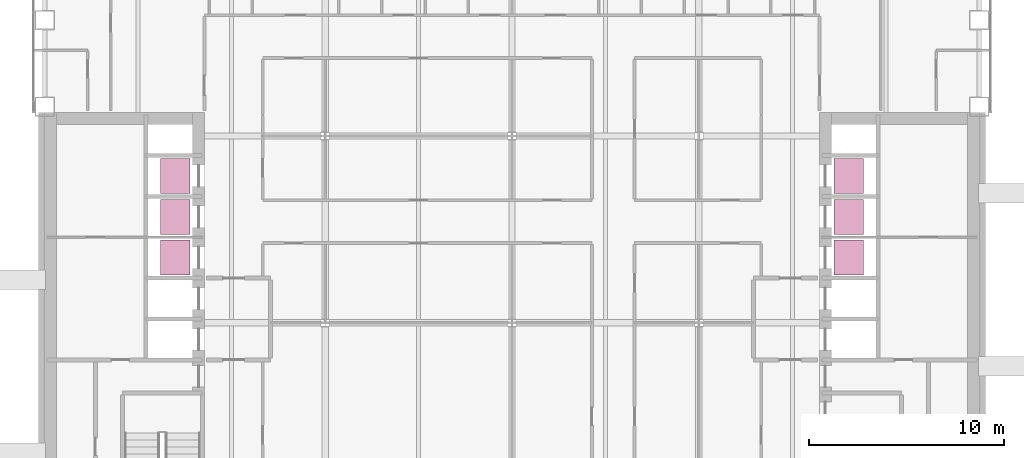
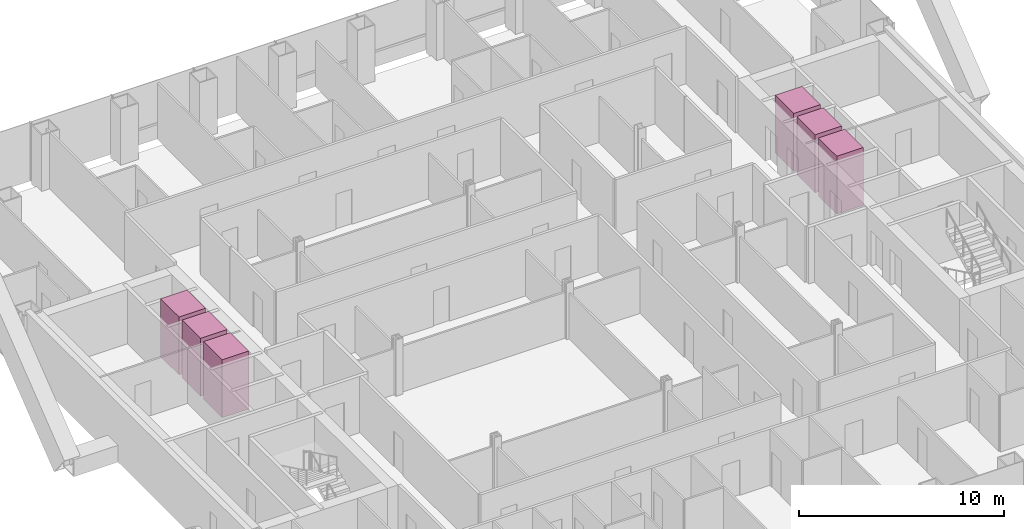
# One storey, part 23 of 23: 6 transport elements.
"""IFC4 building model written with IfcOpenShell, lengths in metres."""

from ifc_helpers import new_model, si_unit, direction, frame, origin, origin_2d, place, context, subcontext, project, spatial, rectangle, extrude, material, type_object, element, save


model = new_model("IFC4")

# Units and contexts
model_context = context("Model", 3, precision=1e-05, world=origin(), true_north=direction((0.0, 1.0)))
body_context = subcontext(model_context, "Body", "Model", "MODEL_VIEW")
ifc_project = project(units=[si_unit("LENGTHUNIT", "METRE"), si_unit("AREAUNIT", "SQUARE_METRE"), si_unit("VOLUMEUNIT", "CUBIC_METRE"), si_unit("PLANEANGLEUNIT", "RADIAN"), si_unit("MASSUNIT", "GRAM", prefix="KILO")], contexts=[model_context])

# Site, building, storey
site_placement = place(None, origin())
site = spatial("IfcSite", under=ifc_project, at=site_placement, CompositionType="ELEMENT")
building_placement = place(site_placement, origin())
building = spatial("IfcBuilding", under=site, at=building_placement, Name="Cobrizo Arcos Hotel Tower", CompositionType="ELEMENT")
storey_placement = place(building_placement, frame((0.0, 0.0, 56.5)))
storey = spatial("IfcBuildingStorey", under=building, at=storey_placement, Name="L12", CompositionType="ELEMENT", Elevation=56.5)

# Transport elements
ifc_material = material(Name="Stainless steel car", Category="steel")
transport_element_type = type_object("IfcTransportElementType", Name="Lift car Low 1.8x1.5", PredefinedType="ELEVATOR", material=ifc_material)
for number, where, z_axis, x_axis, name in (
    (1, (-17.300048828125, 3.35009765625, 0.0), (0.0, 0.0, 1.0), (1.0, 0.0, 0.0), "Low-rise passenger lift W1"),
    (2, (-17.300048828125, 5.449951171875, 0.0), (0.0, 0.0, 1.0), (1.0, 0.0, 0.0), "Low-rise passenger lift W2"),
    (3, (-17.300048828125, 7.550048828125, 0.0), (0.0, 0.0, 1.0), (1.0, 0.0, 0.0), "Low-rise passenger lift W3"),
    (4, (17.300048828125, 3.35009765625, 0.0), (0.0, 0.0, 1.0), (1.0, 0.0, 0.0), "Low-rise passenger lift E1"),
    (5, (17.300048828125, 5.449951171875, 0.0), (0.0, 0.0, 1.0), (1.0, 0.0, 0.0), "Low-rise passenger lift E2"),
    (6, (17.300048828125, 7.550048828125, 0.0), (0.0, 0.0, 1.0), (1.0, 0.0, 0.0), "Low-rise passenger lift E3"),
):
    element("IfcTransportElement", number, at=place(storey_placement, frame(where, z_axis=z_axis, x_axis=x_axis)), inside=storey, type_object=transport_element_type, Name=name, PredefinedType="ELEVATOR", context=body_context, shape_type="SweptSolid", body=[
        extrude(rectangle(XDim=1.5, YDim=1.800048828125, at=origin_2d()), origin(), (0.0, 0.0, 1.0), 3.449951171875),
    ])

save(model, "model.ifc")
